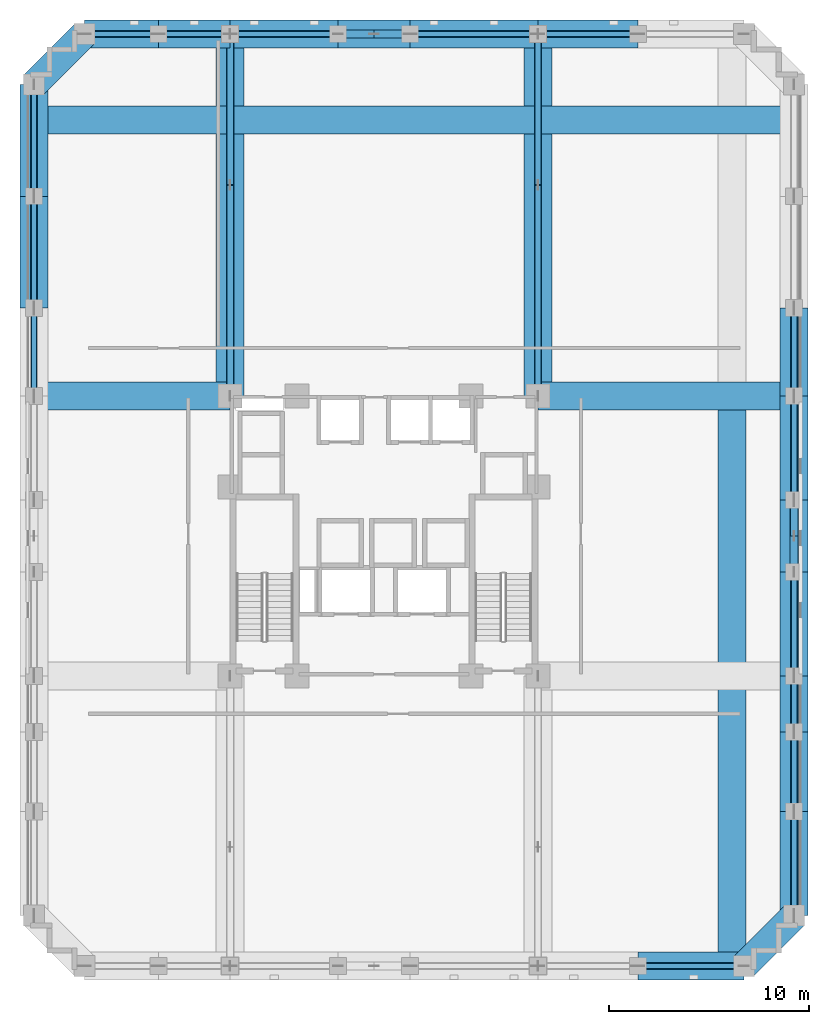
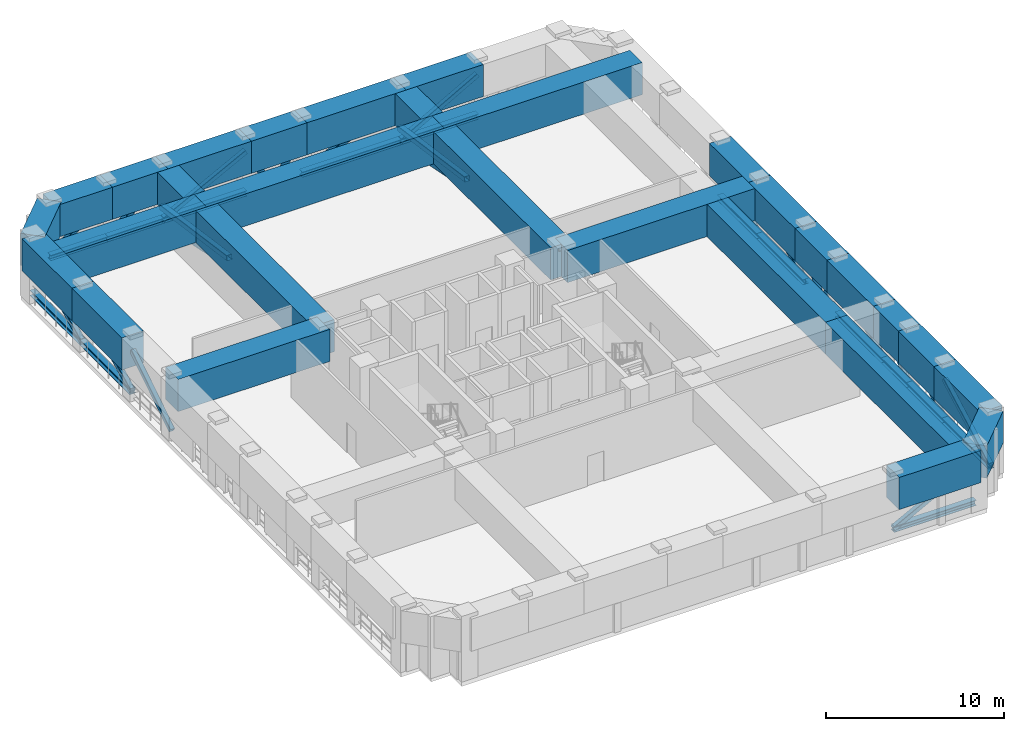
# One storey, part 2 of 11: 37 members, 27 beams.
"""IFC4 building model written with IfcOpenShell, lengths in metres."""

from ifc_helpers import new_model, si_unit, derived_unit, direction, frame, origin, origin_2d, place, context, subcontext, project, spatial, rectangle, hollow_rectangle, hollow_circle, i_section, extrude, material, material_profile, profile_set, type_object, element, save


model = new_model("IFC4")

# Units and contexts
model_context = context("Model", 3, precision=1e-05, world=origin(), true_north=direction((0.0, 1.0)))
body_context = subcontext(model_context, "Body", "Model", "MODEL_VIEW")
ifc_project = project(units=[si_unit("LENGTHUNIT", "METRE"), si_unit("AREAUNIT", "SQUARE_METRE"), si_unit("VOLUMEUNIT", "CUBIC_METRE"), si_unit("PLANEANGLEUNIT", "RADIAN"), si_unit("MASSUNIT", "GRAM", prefix="KILO"), derived_unit("THERMALTRANSMITTANCEUNIT", [(si_unit("MASSUNIT", "GRAM", prefix="KILO"), 1), (si_unit("TIMEUNIT", "SECOND"), -3), (si_unit("THERMODYNAMICTEMPERATUREUNIT", "KELVIN"), -1)])], contexts=[model_context])

# Site, building, storey
site_placement = place(None, origin())
site = spatial("IfcSite", under=ifc_project, at=site_placement, CompositionType="ELEMENT")
building_placement = place(site_placement, origin())
building = spatial("IfcBuilding", under=site, at=building_placement, Name="Korrvale Station Residences", CompositionType="ELEMENT")
storey_placement = place(building_placement, frame((0.0, 0.0, 70.60009765625)))
storey = spatial("IfcBuildingStorey", under=building, at=storey_placement, Name="L19", CompositionType="ELEMENT", Elevation=70.60009765625)

# Beams
ifc_material_1 = material(Name="Concrete C70/85", Category="concrete")
ifc_material_profile_1 = material_profile(ifc_material_1, rectangle(XDim=1.39990234375, YDim=2.199951171875, at=origin_2d()), Name="RCB1400x2200")
ifc_profile_set_1 = profile_set([ifc_material_profile_1], Name="Concrete C70/85")
beam_type_1 = type_object("IfcBeamType", Name="BM-SPB-RCB1400x2200-C7085", PredefinedType="SPANDREL", material=ifc_profile_set_1)
beam_1_placement = place(storey_placement, frame((38.199951171875, 0.47998046875, 3.139892578125), z_axis=(1.0, 0.0, 0.0), x_axis=(0.0, 1.0, 0.0)))
element("IfcBeam", 1, at=beam_1_placement, inside=storey, type_object=beam_type_1, Name="L19 South Tube Spandrel 07", PredefinedType="SPANDREL", context=body_context, shape_type="SweptSolid", body=[
    extrude(rectangle(XDim=1.39990234375, YDim=2.199951171875, at=origin_2d()), origin(), (0.0, 0.0, 1.0), 5.300048828125),
])
beam_2_placement = place(storey_placement, frame((10.5, 47.1201171875, 3.139892578125), z_axis=(1.0, 0.0, 0.0), x_axis=(0.0, 1.0, 0.0)))
element("IfcBeam", 2, at=beam_2_placement, inside=storey, type_object=beam_type_1, Name="L19 North Tube Spandrel 08", PredefinedType="SPANDREL", context=body_context, shape_type="SweptSolid", body=[
    extrude(rectangle(XDim=1.39990234375, YDim=2.199951171875, at=origin_2d()), origin(), (0.0, 0.0, 1.0), 3.699951171875),
])
beam_3_placement = place(storey_placement, frame((14.199951171875, 47.1201171875, 3.139892578125), z_axis=(1.0, 0.0, 0.0), x_axis=(0.0, 1.0, 0.0)))
element("IfcBeam", 3, at=beam_3_placement, inside=storey, type_object=beam_type_1, Name="L19 North Tube Spandrel 09", PredefinedType="SPANDREL", context=body_context, shape_type="SweptSolid", body=[
    extrude(rectangle(XDim=1.39990234375, YDim=2.199951171875, at=origin_2d()), origin(), (0.0, 0.0, 1.0), 3.60009765625),
])
beam_4_placement = place(storey_placement, frame((17.800048828125, 47.1201171875, 3.139892578125), z_axis=(1.0, 0.0, 0.0), x_axis=(0.0, 1.0, 0.0)))
element("IfcBeam", 4, at=beam_4_placement, inside=storey, type_object=beam_type_1, Name="L19 North Tube Spandrel 10", PredefinedType="SPANDREL", context=body_context, shape_type="SweptSolid", body=[
    extrude(rectangle(XDim=1.39990234375, YDim=2.199951171875, at=origin_2d()), origin(), (0.0, 0.0, 1.0), 5.39990234375),
])
beam_5_placement = place(storey_placement, frame((23.199951171875, 47.1201171875, 3.139892578125), z_axis=(1.0, 0.0, 0.0), x_axis=(0.0, 1.0, 0.0)))
element("IfcBeam", 5, at=beam_5_placement, inside=storey, type_object=beam_type_1, Name="L19 North Tube Spandrel 11", PredefinedType="SPANDREL", context=body_context, shape_type="SweptSolid", body=[
    extrude(rectangle(XDim=1.39990234375, YDim=2.199951171875, at=origin_2d()), origin(), (0.0, 0.0, 1.0), 3.60009765625),
])
beam_6_placement = place(storey_placement, frame((26.800048828125, 47.1201171875, 3.139892578125), z_axis=(1.0, 0.0, 0.0), x_axis=(0.0, 1.0, 0.0)))
element("IfcBeam", 6, at=beam_6_placement, inside=storey, type_object=beam_type_1, Name="L19 North Tube Spandrel 12", PredefinedType="SPANDREL", context=body_context, shape_type="SweptSolid", body=[
    extrude(rectangle(XDim=1.39990234375, YDim=2.199951171875, at=origin_2d()), origin(), (0.0, 0.0, 1.0), 6.39990234375),
])
beam_7_placement = place(storey_placement, frame((33.199951171875, 47.1201171875, 3.139892578125), z_axis=(1.0, 0.0, 0.0), x_axis=(0.0, 1.0, 0.0)))
element("IfcBeam", 7, at=beam_7_placement, inside=storey, type_object=beam_type_1, Name="L19 North Tube Spandrel 13", PredefinedType="SPANDREL", context=body_context, shape_type="SweptSolid", body=[
    extrude(rectangle(XDim=1.39990234375, YDim=2.199951171875, at=origin_2d()), origin(), (0.0, 0.0, 1.0), 5.0),
])
for number, where, z_axis, x_axis, name in (
    (8, (7.97998046875, 33.39990234375, 3.139892578125), (0.0, 1.0, 0.0), (-1.0, 0.0, 0.0), "L19 West Tube Spandrel 22"),
    (9, (7.97998046875, 39.0, 3.139892578125), (0.0, 1.0, 0.0), (-1.0, 0.0, 0.0), "L19 West Tube Spandrel 23"),
):
    element("IfcBeam", number, at=place(storey_placement, frame(where, z_axis=z_axis, x_axis=x_axis)), inside=storey, type_object=beam_type_1, Name=name, PredefinedType="SPANDREL", context=body_context, shape_type="SweptSolid", body=[
        extrude(rectangle(XDim=1.39990234375, YDim=2.199951171875, at=origin_2d()), origin(), (0.0, 0.0, 1.0), 5.60009765625),
    ])
beam_8_placement = place(storey_placement, frame((46.02001953125, 3.0, 3.139892578125), z_axis=(0.0, 1.0, 0.0), x_axis=(-1.0, 0.0, 0.0)))
element("IfcBeam", 10, at=beam_8_placement, inside=storey, type_object=beam_type_1, Name="L19 East Tube Spandrel 24", PredefinedType="SPANDREL", context=body_context, shape_type="SweptSolid", body=[
    extrude(rectangle(XDim=1.39990234375, YDim=2.199951171875, at=origin_2d()), origin(), (0.0, 0.0, 1.0), 5.199951171875),
])
beam_9_placement = place(storey_placement, frame((46.02001953125, 8.199951171875, 3.139892578125), z_axis=(0.0, 1.0, 0.0), x_axis=(-1.0, 0.0, 0.0)))
element("IfcBeam", 11, at=beam_9_placement, inside=storey, type_object=beam_type_1, Name="L19 East Tube Spandrel 25", PredefinedType="SPANDREL", context=body_context, shape_type="SweptSolid", body=[
    extrude(rectangle(XDim=1.39990234375, YDim=2.199951171875, at=origin_2d()), origin(), (0.0, 0.0, 1.0), 4.0),
])
beam_10_placement = place(storey_placement, frame((46.02001953125, 12.199951171875, 3.139892578125), z_axis=(0.0, 1.0, 0.0), x_axis=(-1.0, 0.0, 0.0)))
element("IfcBeam", 12, at=beam_10_placement, inside=storey, type_object=beam_type_1, Name="L19 East Tube Spandrel 26", PredefinedType="SPANDREL", context=body_context, shape_type="SweptSolid", body=[
    extrude(rectangle(XDim=1.39990234375, YDim=2.199951171875, at=origin_2d()), origin(), (0.0, 0.0, 1.0), 2.800048828125),
])
beam_11_placement = place(storey_placement, frame((46.02001953125, 15.0, 3.139892578125), z_axis=(0.0, 1.0, 0.0), x_axis=(-1.0, 0.0, 0.0)))
element("IfcBeam", 13, at=beam_11_placement, inside=storey, type_object=beam_type_1, Name="L19 East Tube Spandrel 27", PredefinedType="SPANDREL", context=body_context, shape_type="SweptSolid", body=[
    extrude(rectangle(XDim=1.39990234375, YDim=2.199951171875, at=origin_2d()), origin(), (0.0, 0.0, 1.0), 5.199951171875),
])
beam_12_placement = place(storey_placement, frame((46.02001953125, 20.199951171875, 3.139892578125), z_axis=(0.0, 1.0, 0.0), x_axis=(-1.0, 0.0, 0.0)))
element("IfcBeam", 14, at=beam_12_placement, inside=storey, type_object=beam_type_1, Name="L19 East Tube Spandrel 28", PredefinedType="SPANDREL", context=body_context, shape_type="SweptSolid", body=[
    extrude(rectangle(XDim=1.39990234375, YDim=2.199951171875, at=origin_2d()), origin(), (0.0, 0.0, 1.0), 3.60009765625),
])
beam_13_placement = place(storey_placement, frame((46.02001953125, 23.800048828125, 3.139892578125), z_axis=(0.0, 1.0, 0.0), x_axis=(-1.0, 0.0, 0.0)))
element("IfcBeam", 15, at=beam_13_placement, inside=storey, type_object=beam_type_1, Name="L19 East Tube Spandrel 29", PredefinedType="SPANDREL", context=body_context, shape_type="SweptSolid", body=[
    extrude(rectangle(XDim=1.39990234375, YDim=2.199951171875, at=origin_2d()), origin(), (0.0, 0.0, 1.0), 5.199951171875),
])
beam_14_placement = place(storey_placement, frame((46.02001953125, 29.0, 3.139892578125), z_axis=(0.0, 1.0, 0.0), x_axis=(-1.0, 0.0, 0.0)))
element("IfcBeam", 16, at=beam_14_placement, inside=storey, type_object=beam_type_1, Name="L19 East Tube Spandrel 30", PredefinedType="SPANDREL", context=body_context, shape_type="SweptSolid", body=[
    extrude(rectangle(XDim=1.39990234375, YDim=2.199951171875, at=origin_2d()), origin(), (0.0, 0.0, 1.0), 4.39990234375),
])
for number, where, z_axis, x_axis, name in (
    (17, (43.5, 0.47998046875, 3.139892578125), (0.707106781187, 0.707106781187, 0.0), (-0.707106781187, 0.707106781187, 0.0), "L19 Serrated Corner Spandrel 34"),
    (18, (10.5, 47.1201171875, 3.139892578125), (-0.707106781187, -0.707106781187, 0.0), (0.707106781187, -0.707106781187, 0.0), "L19 Serrated Corner Spandrel 36"),
):
    element("IfcBeam", number, at=place(storey_placement, frame(where, z_axis=z_axis, x_axis=x_axis)), inside=storey, type_object=beam_type_1, Name=name, PredefinedType="SPANDREL", context=body_context, shape_type="SweptSolid", body=[
        extrude(rectangle(XDim=1.39990234375, YDim=2.199951171875, at=origin_2d()), origin(), (0.0, 0.0, 1.0), 3.56396484375),
    ])
ifc_material_profile_2 = material_profile(ifc_material_1, rectangle(XDim=1.39990234375, YDim=2.199951171875, at=origin_2d()), Name="RCB1400x2200")
ifc_profile_set_2 = profile_set([ifc_material_profile_2], Name="Concrete C70/85")
beam_type_2 = type_object("IfcBeamType", Name="BM-TG-RCB1400x2200-C7085", PredefinedType="USERDEFINED", material=ifc_profile_set_2)
for number, where, z_axis, x_axis, name in (
    (19, (17.800048828125, 29.0, 3.139892578125), (0.0, 1.0, 0.0), (-1.0, 0.0, 0.0), "TG2 L19 Bundled-Tube Transfer Web Girder 03"),
    (20, (33.199951171875, 29.0, 3.139892578125), (0.0, 1.0, 0.0), (-1.0, 0.0, 0.0), "TG2 L19 Bundled-Tube Transfer Web Girder 04"),
):
    element("IfcBeam", number, at=place(storey_placement, frame(where, z_axis=z_axis, x_axis=x_axis)), inside=storey, type_object=beam_type_2, Name=name, ObjectType="TRANSFER GIRDER", PredefinedType="USERDEFINED", context=body_context, shape_type="SweptSolid", body=[
        extrude(rectangle(XDim=1.39990234375, YDim=2.199951171875, at=origin_2d()), origin(), (0.0, 0.0, 1.0), 18.1201171875),
    ])
beam_15_placement = place(storey_placement, frame((7.97998046875, 29.0, 3.139892578125), z_axis=(1.0, 0.0, 0.0), x_axis=(0.0, 1.0, 0.0)))
element("IfcBeam", 21, at=beam_15_placement, inside=storey, type_object=beam_type_2, Name="TG2 L19 Bundled-Tube Transfer Web Girder 07", ObjectType="TRANSFER GIRDER", PredefinedType="USERDEFINED", context=body_context, shape_type="SweptSolid", body=[
    extrude(rectangle(XDim=1.39990234375, YDim=2.199951171875, at=origin_2d()), origin(), (0.0, 0.0, 1.0), 9.820068359375),
])
beam_16_placement = place(storey_placement, frame((33.199951171875, 29.0, 3.139892578125), z_axis=(1.0, 0.0, 0.0), x_axis=(0.0, 1.0, 0.0)))
element("IfcBeam", 22, at=beam_16_placement, inside=storey, type_object=beam_type_2, Name="TG2 L19 Bundled-Tube Transfer Web Girder 08", ObjectType="TRANSFER GIRDER", PredefinedType="USERDEFINED", context=body_context, shape_type="SweptSolid", body=[
    extrude(rectangle(XDim=1.39990234375, YDim=2.199951171875, at=origin_2d()), origin(), (0.0, 0.0, 1.0), 12.820068359375),
])
beam_17_placement = place(storey_placement, frame((7.97998046875, 42.820068359375, 3.139892578125), z_axis=(1.0, 0.0, 0.0), x_axis=(0.0, 1.0, 0.0)))
element("IfcBeam", 23, at=beam_17_placement, inside=storey, type_object=beam_type_2, Name="TG2 L19 Setback Perimeter Transfer Girder 01", ObjectType="TRANSFER GIRDER", PredefinedType="USERDEFINED", context=body_context, shape_type="SweptSolid", body=[
    extrude(rectangle(XDim=1.39990234375, YDim=2.199951171875, at=origin_2d()), origin(), (0.0, 0.0, 1.0), 9.820068359375),
])
beam_18_placement = place(storey_placement, frame((17.800048828125, 42.820068359375, 3.139892578125), z_axis=(1.0, 0.0, 0.0), x_axis=(0.0, 1.0, 0.0)))
element("IfcBeam", 24, at=beam_18_placement, inside=storey, type_object=beam_type_2, Name="TG2 L19 Setback Perimeter Transfer Girder 02", ObjectType="TRANSFER GIRDER", PredefinedType="USERDEFINED", context=body_context, shape_type="SweptSolid", body=[
    extrude(rectangle(XDim=1.39990234375, YDim=2.199951171875, at=origin_2d()), origin(), (0.0, 0.0, 1.0), 15.39990234375),
])
beam_19_placement = place(storey_placement, frame((33.199951171875, 42.820068359375, 3.139892578125), z_axis=(1.0, 0.0, 0.0), x_axis=(0.0, 1.0, 0.0)))
element("IfcBeam", 25, at=beam_19_placement, inside=storey, type_object=beam_type_2, Name="TG2 L19 Setback Perimeter Transfer Girder 03", ObjectType="TRANSFER GIRDER", PredefinedType="USERDEFINED", context=body_context, shape_type="SweptSolid", body=[
    extrude(rectangle(XDim=1.39990234375, YDim=2.199951171875, at=origin_2d()), origin(), (0.0, 0.0, 1.0), 12.820068359375),
])
beam_20_placement = place(storey_placement, frame((42.919921875, 0.47998046875, 3.139892578125), z_axis=(0.0, 1.0, 0.0), x_axis=(-1.0, 0.0, 0.0)))
element("IfcBeam", 26, at=beam_20_placement, inside=storey, type_object=beam_type_2, Name="TG2 L19 Setback Perimeter Transfer Girder 04", ObjectType="TRANSFER GIRDER", PredefinedType="USERDEFINED", context=body_context, shape_type="SweptSolid", body=[
    extrude(rectangle(XDim=1.39990234375, YDim=2.199951171875, at=origin_2d()), origin(), (0.0, 0.0, 1.0), 14.52001953125),
])
beam_21_placement = place(storey_placement, frame((42.919921875, 15.0, 3.139892578125), z_axis=(0.0, 1.0, 0.0), x_axis=(-1.0, 0.0, 0.0)))
element("IfcBeam", 27, at=beam_21_placement, inside=storey, type_object=beam_type_2, Name="TG2 L19 Setback Perimeter Transfer Girder 05", ObjectType="TRANSFER GIRDER", PredefinedType="USERDEFINED", context=body_context, shape_type="SweptSolid", body=[
    extrude(rectangle(XDim=1.39990234375, YDim=2.199951171875, at=origin_2d()), origin(), (0.0, 0.0, 1.0), 14.0),
])

# Members
ifc_material_2 = material(Name="Steel S355", Category="steel")
ifc_material_profile_3 = material_profile(ifc_material_2, hollow_rectangle(XDim=0.3046875, YDim=0.3046875, WallThickness=0.015869140625, InnerFilletRadius=0.015869140625, OuterFilletRadius=0.03173828125, at=origin_2d()), Name="HSS305x305x16")
ifc_profile_set_3 = profile_set([ifc_material_profile_3], Name="Steel S355")
member_type_1 = type_object("IfcMemberType", Name="MBR-BR-BT-HSS305x305x16", PredefinedType="BRACE", material=ifc_profile_set_3)
member_1_placement = place(storey_placement, frame((38.199951171875, 0.47998046875, 0.349853515625), z_axis=(0.883501658827, 0.0, 0.468428029531), x_axis=(0.0, 1.0, 0.0)))
element("IfcMember", 28, at=member_1_placement, inside=storey, type_object=member_type_1, Name="L19 Belt Truss Web Diagonal 06", PredefinedType="BRACE", context=body_context, shape_type="SweptSolid", body=[
    extrude(hollow_rectangle(XDim=0.3046875, YDim=0.3046875, WallThickness=0.015869140625, InnerFilletRadius=0.015869140625, OuterFilletRadius=0.03173828125, at=origin_2d()), origin(), (0.0, 0.0, 1.0), 5.9990234375),
])
member_2_placement = place(storey_placement, frame((10.5, 47.1201171875, 0.349853515625), z_axis=(0.796359605116, 0.0, 0.604823428234), x_axis=(0.0, 1.0, 0.0)))
element("IfcMember", 29, at=member_2_placement, inside=storey, type_object=member_type_1, Name="L19 Belt Truss Web Diagonal 07", PredefinedType="BRACE", context=body_context, shape_type="SweptSolid", body=[
    extrude(hollow_rectangle(XDim=0.3046875, YDim=0.3046875, WallThickness=0.015869140625, InnerFilletRadius=0.015869140625, OuterFilletRadius=0.03173828125, at=origin_2d()), origin(), (0.0, 0.0, 1.0), 4.64599609375),
])
member_3_placement = place(storey_placement, frame((14.199951171875, 47.1201171875, 0.349853515625), z_axis=(0.788291751485, 0.0, 0.615301645164), x_axis=(0.0, 1.0, 0.0)))
element("IfcMember", 30, at=member_3_placement, inside=storey, type_object=member_type_1, Name="L19 Belt Truss Web Diagonal 08", PredefinedType="BRACE", context=body_context, shape_type="SweptSolid", body=[
    extrude(hollow_rectangle(XDim=0.3046875, YDim=0.3046875, WallThickness=0.015869140625, InnerFilletRadius=0.015869140625, OuterFilletRadius=0.03173828125, at=origin_2d()), origin(), (0.0, 0.0, 1.0), 4.56689453125),
])
member_4_placement = place(storey_placement, frame((17.800048828125, 47.1201171875, 0.349853515625), z_axis=(0.887074921812, 0.0, 0.46162547925), x_axis=(0.0, 1.0, 0.0)))
element("IfcMember", 31, at=member_4_placement, inside=storey, type_object=member_type_1, Name="L19 Belt Truss Web Diagonal 09", PredefinedType="BRACE", context=body_context, shape_type="SweptSolid", body=[
    extrude(hollow_rectangle(XDim=0.3046875, YDim=0.3046875, WallThickness=0.015869140625, InnerFilletRadius=0.015869140625, OuterFilletRadius=0.03173828125, at=origin_2d()), origin(), (0.0, 0.0, 1.0), 6.08740234375),
])
member_5_placement = place(storey_placement, frame((26.800048828125, 47.1201171875, 0.349853515625), z_axis=(0.915625841844, 0.0, 0.402031488503), x_axis=(0.0, 1.0, 0.0)))
element("IfcMember", 32, at=member_5_placement, inside=storey, type_object=member_type_1, Name="L19 Belt Truss Web Diagonal 10", PredefinedType="BRACE", context=body_context, shape_type="SweptSolid", body=[
    extrude(hollow_rectangle(XDim=0.3046875, YDim=0.3046875, WallThickness=0.015869140625, InnerFilletRadius=0.015869140625, OuterFilletRadius=0.03173828125, at=origin_2d()), origin(), (0.0, 0.0, 1.0), 6.98974609375),
])
member_6_placement = place(storey_placement, frame((33.199951171875, 47.1201171875, 0.349853515625), z_axis=(0.871757362721, 0.0, 0.489937853756), x_axis=(0.0, 1.0, 0.0)))
element("IfcMember", 33, at=member_6_placement, inside=storey, type_object=member_type_1, Name="L19 Belt Truss Web Diagonal 11", PredefinedType="BRACE", context=body_context, shape_type="SweptSolid", body=[
    extrude(hollow_rectangle(XDim=0.3046875, YDim=0.3046875, WallThickness=0.015869140625, InnerFilletRadius=0.015869140625, OuterFilletRadius=0.03173828125, at=origin_2d()), origin(), (0.0, 0.0, 1.0), 5.735595703125),
])
member_7_placement = place(storey_placement, frame((7.97998046875, 29.0, 0.349853515625), z_axis=(0.0, 0.842782294962, 0.538254589669), x_axis=(-1.0, 0.0, 0.0)))
element("IfcMember", 34, at=member_7_placement, inside=storey, type_object=member_type_1, Name="L19 Belt Truss Web Diagonal 18", PredefinedType="BRACE", context=body_context, shape_type="SweptSolid", body=[
    extrude(hollow_rectangle(XDim=0.3046875, YDim=0.3046875, WallThickness=0.015869140625, InnerFilletRadius=0.015869140625, OuterFilletRadius=0.03173828125, at=origin_2d()), origin(), (0.0, 0.0, 1.0), 5.220703125),
])
for number, where, z_axis, x_axis, name in (
    (35, (7.97998046875, 33.39990234375, 0.349853515625), (0.0, 0.893787246101, 0.448491202486), (-1.0, 0.0, 0.0), "L19 Belt Truss Web Diagonal 19"),
    (36, (7.97998046875, 39.0, 0.349853515625), (0.0, 0.893787246101, 0.448491202486), (-1.0, 0.0, 0.0), "L19 Belt Truss Web Diagonal 20"),
):
    element("IfcMember", number, at=place(storey_placement, frame(where, z_axis=z_axis, x_axis=x_axis)), inside=storey, type_object=member_type_1, Name=name, PredefinedType="BRACE", context=body_context, shape_type="SweptSolid", body=[
        extrude(hollow_rectangle(XDim=0.3046875, YDim=0.3046875, WallThickness=0.015869140625, InnerFilletRadius=0.015869140625, OuterFilletRadius=0.03173828125, at=origin_2d()), origin(), (0.0, 0.0, 1.0), 6.265625),
    ])
member_8_placement = place(storey_placement, frame((46.02001953125, 3.0, 0.349853515625), z_axis=(0.0, 0.87975787717, 0.475421999447), x_axis=(-1.0, 0.0, 0.0)))
element("IfcMember", 37, at=member_8_placement, inside=storey, type_object=member_type_1, Name="L19 Belt Truss Web Diagonal 21", PredefinedType="BRACE", context=body_context, shape_type="SweptSolid", body=[
    extrude(hollow_rectangle(XDim=0.3046875, YDim=0.3046875, WallThickness=0.015869140625, InnerFilletRadius=0.015869140625, OuterFilletRadius=0.03173828125, at=origin_2d()), origin(), (0.0, 0.0, 1.0), 5.91064453125),
])
member_9_placement = place(storey_placement, frame((46.02001953125, 8.199951171875, 0.349853515625), z_axis=(0.0, 0.818264077018, 0.574842500396), x_axis=(-1.0, 0.0, 0.0)))
element("IfcMember", 38, at=member_9_placement, inside=storey, type_object=member_type_1, Name="L19 Belt Truss Web Diagonal 22", PredefinedType="BRACE", context=body_context, shape_type="SweptSolid", body=[
    extrude(hollow_rectangle(XDim=0.3046875, YDim=0.3046875, WallThickness=0.015869140625, InnerFilletRadius=0.015869140625, OuterFilletRadius=0.03173828125, at=origin_2d()), origin(), (0.0, 0.0, 1.0), 4.888427734375),
])
member_10_placement = place(storey_placement, frame((46.02001953125, 12.199951171875, 0.349853515625), z_axis=(0.0, 0.705844011024, 0.708367300277), x_axis=(-1.0, 0.0, 0.0)))
element("IfcMember", 39, at=member_10_placement, inside=storey, type_object=member_type_1, Name="L19 Belt Truss Web Diagonal 23", PredefinedType="BRACE", context=body_context, shape_type="SweptSolid", body=[
    extrude(hollow_rectangle(XDim=0.3046875, YDim=0.3046875, WallThickness=0.015869140625, InnerFilletRadius=0.015869140625, OuterFilletRadius=0.03173828125, at=origin_2d()), origin(), (0.0, 0.0, 1.0), 3.967041015625),
])
for number, where, z_axis, x_axis, name in (
    (40, (46.02001953125, 15.0, 0.349853515625), (0.0, 0.87975787717, 0.475421999447), (-1.0, 0.0, 0.0), "L19 Belt Truss Web Diagonal 24"),
    (41, (46.02001953125, 23.800048828125, 0.349853515625), (0.0, 0.87975787717, 0.475421999447), (-1.0, 0.0, 0.0), "L19 Belt Truss Web Diagonal 25"),
):
    element("IfcMember", number, at=place(storey_placement, frame(where, z_axis=z_axis, x_axis=x_axis)), inside=storey, type_object=member_type_1, Name=name, PredefinedType="BRACE", context=body_context, shape_type="SweptSolid", body=[
        extrude(hollow_rectangle(XDim=0.3046875, YDim=0.3046875, WallThickness=0.015869140625, InnerFilletRadius=0.015869140625, OuterFilletRadius=0.03173828125, at=origin_2d()), origin(), (0.0, 0.0, 1.0), 5.91064453125),
    ])
member_11_placement = place(storey_placement, frame((46.02001953125, 29.0, 0.349853515625), z_axis=(0.0, 0.842782294962, 0.538254589669), x_axis=(-1.0, 0.0, 0.0)))
element("IfcMember", 42, at=member_11_placement, inside=storey, type_object=member_type_1, Name="L19 Belt Truss Web Diagonal 26", PredefinedType="BRACE", context=body_context, shape_type="SweptSolid", body=[
    extrude(hollow_rectangle(XDim=0.3046875, YDim=0.3046875, WallThickness=0.015869140625, InnerFilletRadius=0.015869140625, OuterFilletRadius=0.03173828125, at=origin_2d()), origin(), (0.0, 0.0, 1.0), 5.220703125),
])
ifc_material_profile_4 = material_profile(ifc_material_2, hollow_circle(Radius=0.203125, WallThickness=0.015869140625, at=origin_2d()), Name="HSS406x16")
ifc_profile_set_4 = profile_set([ifc_material_profile_4], Name="Steel S355")
member_type_2 = type_object("IfcMemberType", Name="MBR-BR-HSS406x16", PredefinedType="BRACE", material=ifc_profile_set_4)
for number, where, z_axis, x_axis, name in (
    (43, (25.0, 47.1201171875, 0.02001953125), (-0.497351620674, 0.0, 0.867549056488), (0.0, -1.0, 0.0), "L19 N Perimeter Tube Wind Brace 1"),
    (44, (25.0, 47.1201171875, 0.02001953125), (0.497351620674, 0.0, 0.867549056488), (0.0, 1.0, 0.0), "L19 N Perimeter Tube Wind Brace 2"),
    (45, (46.02001953125, 22.0, 0.02001953125), (0.0, -0.497351620674, 0.867549056488), (1.0, 0.0, 0.0), "L19 E Perimeter Tube Wind Brace 1"),
    (46, (46.02001953125, 22.0, 0.02001953125), (0.0, 0.497351620674, 0.867549056488), (-1.0, 0.0, 0.0), "L19 E Perimeter Tube Wind Brace 2"),
):
    element("IfcMember", number, at=place(storey_placement, frame(where, z_axis=z_axis, x_axis=x_axis)), inside=storey, type_object=member_type_2, Name=name, PredefinedType="BRACE", context=body_context, shape_type="SweptSolid", body=[
        extrude(hollow_circle(Radius=0.203125, WallThickness=0.015869140625, at=origin_2d()), origin(), (0.0, 0.0, 1.0), 3.619384765625),
    ])
ifc_material_profile_5 = material_profile(ifc_material_2, hollow_rectangle(XDim=0.355712890625, YDim=0.355712890625, WallThickness=0.015869140625, InnerFilletRadius=0.015869140625, OuterFilletRadius=0.03173828125, at=origin_2d()), Name="HSS356x356x16")
ifc_profile_set_5 = profile_set([ifc_material_profile_5], Name="Steel S355")
member_type_3 = type_object("IfcMemberType", Name="MBR-BR-OT-HSS356x356x16", PredefinedType="BRACE", material=ifc_profile_set_5)
member_12_placement = place(storey_placement, frame((17.800048828125, 47.1201171875, 1.25), z_axis=(0.0, -0.990135364218, 0.140114098237), x_axis=(1.0, 0.0, 0.0)))
element("IfcMember", 47, at=member_12_placement, inside=storey, type_object=member_type_3, Name="L19 Outrigger Truss Diagonal 3A", PredefinedType="BRACE", context=body_context, shape_type="SweptSolid", body=[
    extrude(hollow_rectangle(XDim=0.355712890625, YDim=0.355712890625, WallThickness=0.015869140625, InnerFilletRadius=0.015869140625, OuterFilletRadius=0.03173828125, at=origin_2d()), origin(), (0.0, 0.0, 1.0), 7.635498046875),
])
member_13_placement = place(storey_placement, frame((17.800048828125, 47.1201171875, 0.349853515625), z_axis=(0.0, -0.980412657712, 0.196954361715), x_axis=(1.0, 0.0, 0.0)))
element("IfcMember", 48, at=member_13_placement, inside=storey, type_object=member_type_3, Name="L19 Outrigger Truss Diagonal 3B", PredefinedType="BRACE", context=body_context, shape_type="SweptSolid", body=[
    extrude(hollow_rectangle(XDim=0.355712890625, YDim=0.355712890625, WallThickness=0.015869140625, InnerFilletRadius=0.015869140625, OuterFilletRadius=0.03173828125, at=origin_2d()), origin(), (0.0, 0.0, 1.0), 18.482177734375),
])
member_14_placement = place(storey_placement, frame((33.199951171875, 47.1201171875, 1.25), z_axis=(0.0, -0.990135364218, 0.140114098237), x_axis=(1.0, 0.0, 0.0)))
element("IfcMember", 49, at=member_14_placement, inside=storey, type_object=member_type_3, Name="L19 Outrigger Truss Diagonal 4A", PredefinedType="BRACE", context=body_context, shape_type="SweptSolid", body=[
    extrude(hollow_rectangle(XDim=0.355712890625, YDim=0.355712890625, WallThickness=0.015869140625, InnerFilletRadius=0.015869140625, OuterFilletRadius=0.03173828125, at=origin_2d()), origin(), (0.0, 0.0, 1.0), 7.635498046875),
])
member_15_placement = place(storey_placement, frame((33.199951171875, 47.1201171875, 0.349853515625), z_axis=(0.0, -0.980412657712, 0.196954361715), x_axis=(1.0, 0.0, 0.0)))
element("IfcMember", 50, at=member_15_placement, inside=storey, type_object=member_type_3, Name="L19 Outrigger Truss Diagonal 4B", PredefinedType="BRACE", context=body_context, shape_type="SweptSolid", body=[
    extrude(hollow_rectangle(XDim=0.355712890625, YDim=0.355712890625, WallThickness=0.015869140625, InnerFilletRadius=0.015869140625, OuterFilletRadius=0.03173828125, at=origin_2d()), origin(), (0.0, 0.0, 1.0), 18.482177734375),
])
ifc_material_profile_6 = material_profile(ifc_material_2, i_section(OverallWidth=0.3740234375, OverallDepth=0.3720703125, WebThickness=0.016357421875, FlangeThickness=0.026123046875, FilletRadius=0.014892578125, at=origin_2d()), Name="W360x196")
ifc_profile_set_6 = profile_set([ifc_material_profile_6], Name="Steel S355")
member_type_4 = type_object("IfcMemberType", Name="MBR-CHD-BT-W360x196", PredefinedType="CHORD", material=ifc_profile_set_6)
member_16_placement = place(storey_placement, frame((38.199951171875, 0.47998046875, 0.349853515625), z_axis=(1.0, 0.0, 0.0), x_axis=(0.0, 1.0, 0.0)))
element("IfcMember", 51, at=member_16_placement, inside=storey, type_object=member_type_4, Name="L19 Belt Truss Bottom Chord 06", PredefinedType="CHORD", context=body_context, shape_type="SweptSolid", body=[
    extrude(i_section(OverallWidth=0.3740234375, OverallDepth=0.3720703125, WebThickness=0.016357421875, FlangeThickness=0.026123046875, FilletRadius=0.014892578125, at=origin_2d()), origin(), (0.0, 0.0, 1.0), 5.300048828125),
])
member_17_placement = place(storey_placement, frame((10.5, 47.1201171875, 0.349853515625), z_axis=(1.0, 0.0, 0.0), x_axis=(0.0, 1.0, 0.0)))
element("IfcMember", 52, at=member_17_placement, inside=storey, type_object=member_type_4, Name="L19 Belt Truss Bottom Chord 07", PredefinedType="CHORD", context=body_context, shape_type="SweptSolid", body=[
    extrude(i_section(OverallWidth=0.3740234375, OverallDepth=0.3720703125, WebThickness=0.016357421875, FlangeThickness=0.026123046875, FilletRadius=0.014892578125, at=origin_2d()), origin(), (0.0, 0.0, 1.0), 3.699951171875),
])
member_18_placement = place(storey_placement, frame((14.199951171875, 47.1201171875, 0.349853515625), z_axis=(1.0, 0.0, 0.0), x_axis=(0.0, 1.0, 0.0)))
element("IfcMember", 53, at=member_18_placement, inside=storey, type_object=member_type_4, Name="L19 Belt Truss Bottom Chord 08", PredefinedType="CHORD", context=body_context, shape_type="SweptSolid", body=[
    extrude(i_section(OverallWidth=0.3740234375, OverallDepth=0.3720703125, WebThickness=0.016357421875, FlangeThickness=0.026123046875, FilletRadius=0.014892578125, at=origin_2d()), origin(), (0.0, 0.0, 1.0), 3.60009765625),
])
member_19_placement = place(storey_placement, frame((17.800048828125, 47.1201171875, 0.349853515625), z_axis=(1.0, 0.0, 0.0), x_axis=(0.0, 1.0, 0.0)))
element("IfcMember", 54, at=member_19_placement, inside=storey, type_object=member_type_4, Name="L19 Belt Truss Bottom Chord 09", PredefinedType="CHORD", context=body_context, shape_type="SweptSolid", body=[
    extrude(i_section(OverallWidth=0.3740234375, OverallDepth=0.3720703125, WebThickness=0.016357421875, FlangeThickness=0.026123046875, FilletRadius=0.014892578125, at=origin_2d()), origin(), (0.0, 0.0, 1.0), 5.39990234375),
])
member_20_placement = place(storey_placement, frame((26.800048828125, 47.1201171875, 0.349853515625), z_axis=(1.0, 0.0, 0.0), x_axis=(0.0, 1.0, 0.0)))
element("IfcMember", 55, at=member_20_placement, inside=storey, type_object=member_type_4, Name="L19 Belt Truss Bottom Chord 10", PredefinedType="CHORD", context=body_context, shape_type="SweptSolid", body=[
    extrude(i_section(OverallWidth=0.3740234375, OverallDepth=0.3720703125, WebThickness=0.016357421875, FlangeThickness=0.026123046875, FilletRadius=0.014892578125, at=origin_2d()), origin(), (0.0, 0.0, 1.0), 6.39990234375),
])
member_21_placement = place(storey_placement, frame((33.199951171875, 47.1201171875, 0.349853515625), z_axis=(1.0, 0.0, 0.0), x_axis=(0.0, 1.0, 0.0)))
element("IfcMember", 56, at=member_21_placement, inside=storey, type_object=member_type_4, Name="L19 Belt Truss Bottom Chord 11", PredefinedType="CHORD", context=body_context, shape_type="SweptSolid", body=[
    extrude(i_section(OverallWidth=0.3740234375, OverallDepth=0.3720703125, WebThickness=0.016357421875, FlangeThickness=0.026123046875, FilletRadius=0.014892578125, at=origin_2d()), origin(), (0.0, 0.0, 1.0), 5.0),
])
for number, where, z_axis, x_axis, name in (
    (57, (7.97998046875, 33.39990234375, 0.349853515625), (0.0, 1.0, 0.0), (-1.0, 0.0, 0.0), "L19 Belt Truss Bottom Chord 19"),
    (58, (7.97998046875, 39.0, 0.349853515625), (0.0, 1.0, 0.0), (-1.0, 0.0, 0.0), "L19 Belt Truss Bottom Chord 20"),
):
    element("IfcMember", number, at=place(storey_placement, frame(where, z_axis=z_axis, x_axis=x_axis)), inside=storey, type_object=member_type_4, Name=name, PredefinedType="CHORD", context=body_context, shape_type="SweptSolid", body=[
        extrude(i_section(OverallWidth=0.3740234375, OverallDepth=0.3720703125, WebThickness=0.016357421875, FlangeThickness=0.026123046875, FilletRadius=0.014892578125, at=origin_2d()), origin(), (0.0, 0.0, 1.0), 5.60009765625),
    ])
member_22_placement = place(storey_placement, frame((46.02001953125, 3.0, 0.349853515625), z_axis=(0.0, 1.0, 0.0), x_axis=(-1.0, 0.0, 0.0)))
element("IfcMember", 59, at=member_22_placement, inside=storey, type_object=member_type_4, Name="L19 Belt Truss Bottom Chord 21", PredefinedType="CHORD", context=body_context, shape_type="SweptSolid", body=[
    extrude(i_section(OverallWidth=0.3740234375, OverallDepth=0.3720703125, WebThickness=0.016357421875, FlangeThickness=0.026123046875, FilletRadius=0.014892578125, at=origin_2d()), origin(), (0.0, 0.0, 1.0), 5.199951171875),
])
member_23_placement = place(storey_placement, frame((46.02001953125, 8.199951171875, 0.349853515625), z_axis=(0.0, 1.0, 0.0), x_axis=(-1.0, 0.0, 0.0)))
element("IfcMember", 60, at=member_23_placement, inside=storey, type_object=member_type_4, Name="L19 Belt Truss Bottom Chord 22", PredefinedType="CHORD", context=body_context, shape_type="SweptSolid", body=[
    extrude(i_section(OverallWidth=0.3740234375, OverallDepth=0.3720703125, WebThickness=0.016357421875, FlangeThickness=0.026123046875, FilletRadius=0.014892578125, at=origin_2d()), origin(), (0.0, 0.0, 1.0), 4.0),
])
member_24_placement = place(storey_placement, frame((46.02001953125, 12.199951171875, 0.349853515625), z_axis=(0.0, 1.0, 0.0), x_axis=(-1.0, 0.0, 0.0)))
element("IfcMember", 61, at=member_24_placement, inside=storey, type_object=member_type_4, Name="L19 Belt Truss Bottom Chord 23", PredefinedType="CHORD", context=body_context, shape_type="SweptSolid", body=[
    extrude(i_section(OverallWidth=0.3740234375, OverallDepth=0.3720703125, WebThickness=0.016357421875, FlangeThickness=0.026123046875, FilletRadius=0.014892578125, at=origin_2d()), origin(), (0.0, 0.0, 1.0), 2.800048828125),
])
for number, where, z_axis, x_axis, name in (
    (62, (46.02001953125, 15.0, 0.349853515625), (0.0, 1.0, 0.0), (-1.0, 0.0, 0.0), "L19 Belt Truss Bottom Chord 24"),
    (63, (46.02001953125, 23.800048828125, 0.349853515625), (0.0, 1.0, 0.0), (-1.0, 0.0, 0.0), "L19 Belt Truss Bottom Chord 25"),
):
    element("IfcMember", number, at=place(storey_placement, frame(where, z_axis=z_axis, x_axis=x_axis)), inside=storey, type_object=member_type_4, Name=name, PredefinedType="CHORD", context=body_context, shape_type="SweptSolid", body=[
        extrude(i_section(OverallWidth=0.3740234375, OverallDepth=0.3720703125, WebThickness=0.016357421875, FlangeThickness=0.026123046875, FilletRadius=0.014892578125, at=origin_2d()), origin(), (0.0, 0.0, 1.0), 5.199951171875),
    ])
member_25_placement = place(storey_placement, frame((46.02001953125, 29.0, 0.349853515625), z_axis=(0.0, 1.0, 0.0), x_axis=(-1.0, 0.0, 0.0)))
element("IfcMember", 64, at=member_25_placement, inside=storey, type_object=member_type_4, Name="L19 Belt Truss Bottom Chord 26", PredefinedType="CHORD", context=body_context, shape_type="SweptSolid", body=[
    extrude(i_section(OverallWidth=0.3740234375, OverallDepth=0.3720703125, WebThickness=0.016357421875, FlangeThickness=0.026123046875, FilletRadius=0.014892578125, at=origin_2d()), origin(), (0.0, 0.0, 1.0), 4.39990234375),
])

save(model, "model.ifc")
